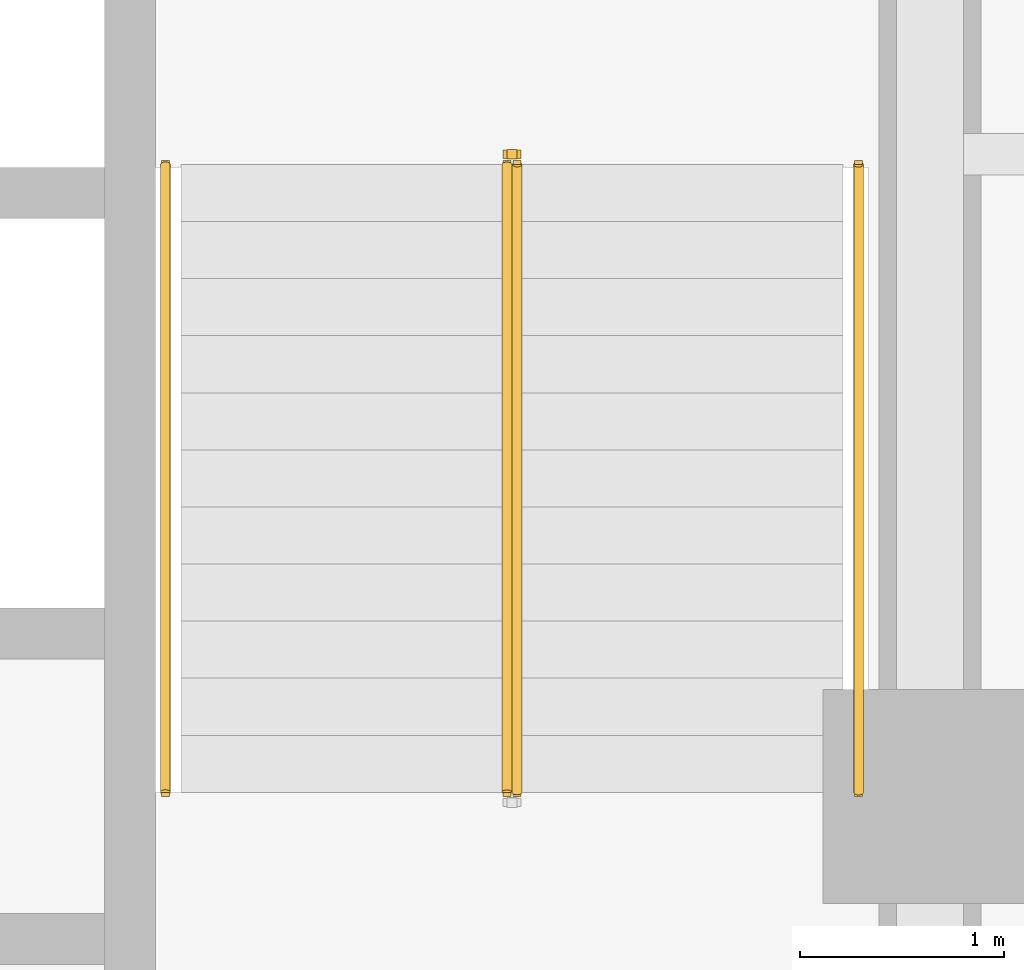
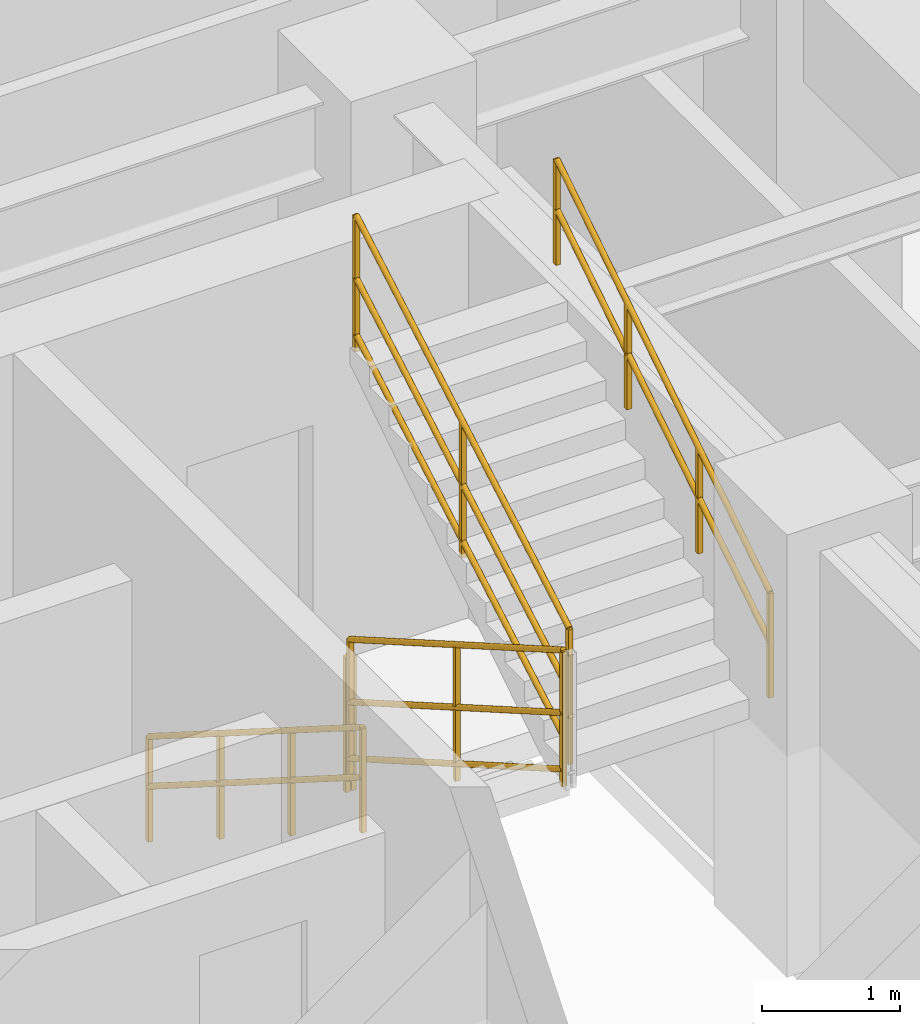
# One storey, part 9 of 10: 5 railings.
"""IFC4 building model written with IfcOpenShell, lengths in metres."""

from ifc_helpers import new_model, entity, si_unit, converted_unit, direction, frame, origin_with_axes, origin_2d_with_axis, place, context, subcontext, project, spatial, rectangle, circle, extrude, material, type_object, element, save


model = new_model("IFC4")

# Units and contexts
model_context = context("Model", 3, precision=1e-05, world=origin_with_axes(), true_north=direction((0.0, 1.0)))
body_context = subcontext(model_context, "Body", "Model", "MODEL_VIEW")
ifc_project = project(units=[si_unit("LENGTHUNIT", "METRE"), si_unit("AREAUNIT", "SQUARE_METRE"), si_unit("VOLUMEUNIT", "CUBIC_METRE"), converted_unit("PLANEANGLEUNIT", "DEGREE", entity("IfcPlaneAngleMeasure", 0.017453292519943295), si_unit("PLANEANGLEUNIT", "RADIAN"), dimensions=[0, 0, 0, 0, 0, 0, 0]), si_unit("MASSUNIT", "GRAM", prefix="KILO"), si_unit("THERMODYNAMICTEMPERATUREUNIT", "KELVIN")], contexts=[model_context])

# Site, building, storey
site_placement = place(None, origin_with_axes())
site = spatial("IfcSite", under=ifc_project, at=site_placement, CompositionType="ELEMENT")
building_placement = place(site_placement, origin_with_axes())
building = spatial("IfcBuilding", under=site, at=building_placement, Name="Varnlund Millrace Tower", CompositionType="ELEMENT")
storey_placement = place(building_placement, frame((0.0, 0.0, 129.0), z_axis=(0.0, 0.0, 1.0), x_axis=(1.0, 0.0, 0.0)))
storey = spatial("IfcBuildingStorey", under=building, at=storey_placement, Name="L31", CompositionType="ELEMENT", Elevation=129.0)

# Railings
ifc_material_1 = material(Name="Painted steel stair well balustrade guard", Category="steel")
railing_type_1 = type_object("IfcRailingType", Name="Type-StairGuard-1150", PredefinedType="GUARDRAIL", material=ifc_material_1)
railing_1_placement = place(storey_placement, frame((0.0, 0.0, -129.0), z_axis=(0.0, 0.0, 1.0), x_axis=(1.0, 0.0, 0.0)))
element("IfcRailing", 1, at=railing_1_placement, inside=storey, type_object=railing_type_1, Name="Type-StairGuard-1150", PredefinedType="GUARDRAIL", context=body_context, shape_type="SweptSolid", body=[
    extrude(circle(Radius=0.024, at=origin_2d_with_axis()), frame((45.975, 21.1, 130.327273), z_axis=(0.0, -0.866696, 0.498836), x_axis=(1.0, 0.0, 0.0)), (0.0, 0.0, 1.0), 3.553725),
    extrude(circle(Radius=0.024, at=origin_2d_with_axis()), frame((45.975, 21.1, 129.277273), z_axis=(0.0, -0.866696, 0.498836), x_axis=(1.0, 0.0, 0.0)), (0.0, 0.0, 1.0), 3.553725),
    extrude(circle(Radius=0.024, at=origin_2d_with_axis()), frame((45.975, 21.1, 129.775273), z_axis=(0.0, -0.866696, 0.498836), x_axis=(1.0, 0.0, 0.0)), (0.0, 0.0, 1.0), 3.553725),
    extrude(rectangle(XDim=0.04, YDim=0.04, at=origin_2d_with_axis()), frame((45.975, 21.1, 129.137273), z_axis=(0.0, 0.0, 1.0), x_axis=(1.0, 0.0, 0.0)), (0.0, 0.0, 1.0), 1.19),
    extrude(rectangle(XDim=0.04, YDim=0.04, at=origin_2d_with_axis()), frame((45.975, 19.56, 130.023637), z_axis=(0.0, 0.0, 1.0), x_axis=(1.0, 0.0, 0.0)), (0.0, 0.0, 1.0), 1.19),
    extrude(rectangle(XDim=0.04, YDim=0.04, at=origin_2d_with_axis()), frame((45.975, 18.02, 130.91), z_axis=(0.0, 0.0, 1.0), x_axis=(1.0, 0.0, 0.0)), (0.0, 0.0, 1.0), 1.19),
])
railing_2_placement = place(storey_placement, frame((0.0, 0.0, -129.0), z_axis=(0.0, 0.0, 1.0), x_axis=(1.0, 0.0, 0.0)))
element("IfcRailing", 2, at=railing_2_placement, inside=storey, type_object=railing_type_1, Name="Type-StairGuard-1150", PredefinedType="GUARDRAIL", context=body_context, shape_type="SweptSolid", body=[
    extrude(circle(Radius=0.024, at=origin_2d_with_axis()), frame((46.025, 18.02, 132.277273), z_axis=(0.0, 0.866696, 0.498836), x_axis=(-1.0, 0.0, 0.0)), (0.0, 0.0, 1.0), 3.553725),
    extrude(circle(Radius=0.024, at=origin_2d_with_axis()), frame((46.025, 18.02, 131.227273), z_axis=(0.0, 0.866696, 0.498836), x_axis=(-1.0, 0.0, 0.0)), (0.0, 0.0, 1.0), 3.553725),
    extrude(circle(Radius=0.024, at=origin_2d_with_axis()), frame((46.025, 18.02, 131.725273), z_axis=(0.0, 0.866696, 0.498836), x_axis=(-1.0, 0.0, 0.0)), (0.0, 0.0, 1.0), 3.553725),
    extrude(rectangle(XDim=0.04, YDim=0.04, at=origin_2d_with_axis()), frame((46.025, 18.02, 131.087273), z_axis=(0.0, 0.0, 1.0), x_axis=(1.0, 0.0, 0.0)), (0.0, 0.0, 1.0), 1.19),
    extrude(rectangle(XDim=0.04, YDim=0.04, at=origin_2d_with_axis()), frame((46.025, 19.56, 131.973637), z_axis=(0.0, 0.0, 1.0), x_axis=(1.0, 0.0, 0.0)), (0.0, 0.0, 1.0), 1.19),
    extrude(rectangle(XDim=0.04, YDim=0.04, at=origin_2d_with_axis()), frame((46.025, 21.1, 132.86), z_axis=(0.0, 0.0, 1.0), x_axis=(1.0, 0.0, 0.0)), (0.0, 0.0, 1.0), 1.19),
])
railing_3_placement = place(storey_placement, frame((0.0, 0.0, -129.0), z_axis=(0.0, 0.0, 1.0), x_axis=(1.0, 0.0, 0.0)))
element("IfcRailing", 3, at=railing_3_placement, inside=storey, type_object=railing_type_1, Name="Type-StairGuard-1150", PredefinedType="GUARDRAIL", context=body_context, shape_type="SweptSolid", body=[
    extrude(circle(Radius=0.024, at=origin_2d_with_axis()), frame((46.025, 21.15, 130.15), z_axis=(-1.0, 0.0, 0.0), x_axis=(0.0, -1.0, 0.0)), (0.0, 0.0, 1.0), 0.05),
    extrude(circle(Radius=0.024, at=origin_2d_with_axis()), frame((46.025, 21.15, 129.1), z_axis=(-1.0, 0.0, 0.0), x_axis=(0.0, -1.0, 0.0)), (0.0, 0.0, 1.0), 0.05),
    extrude(circle(Radius=0.024, at=origin_2d_with_axis()), frame((46.025, 21.15, 129.598), z_axis=(-1.0, 0.0, 0.0), x_axis=(0.0, -1.0, 0.0)), (0.0, 0.0, 1.0), 0.05),
    extrude(rectangle(XDim=0.04, YDim=0.04, at=origin_2d_with_axis()), frame((46.025, 21.15, 128.96), z_axis=(0.0, 0.0, 1.0), x_axis=(1.0, 0.0, 0.0)), (0.0, 0.0, 1.0), 1.19),
    extrude(rectangle(XDim=0.04, YDim=0.04, at=origin_2d_with_axis()), frame((45.975, 21.15, 128.96), z_axis=(0.0, 0.0, 1.0), x_axis=(1.0, 0.0, 0.0)), (0.0, 0.0, 1.0), 1.19),
])
ifc_material_2 = material(Name="Brushed architectural bronze stair handrail", Category="aluminium")
railing_type_2 = type_object("IfcRailingType", Name="Type-StairHandrail-900", PredefinedType="HANDRAIL", material=ifc_material_2)
railing_4_placement = place(storey_placement, frame((0.0, 0.0, -129.0), z_axis=(0.0, 0.0, 1.0), x_axis=(1.0, 0.0, 0.0)))
element("IfcRailing", 4, at=railing_4_placement, inside=storey, type_object=railing_type_2, Name="Type-StairHandrail-900", PredefinedType="HANDRAIL", context=body_context, shape_type="SweptSolid", body=[
    extrude(circle(Radius=0.024, at=origin_2d_with_axis()), frame((44.3, 21.1, 130.056995), z_axis=(0.0, -0.844902, 0.534922), x_axis=(1.0, 0.0, 0.0)), (0.0, 0.0, 1.0), 3.645394),
    extrude(circle(Radius=0.024, at=origin_2d_with_axis()), frame((44.3, 21.1, 129.617134), z_axis=(0.0, -0.844902, 0.534922), x_axis=(1.0, 0.0, 0.0)), (0.0, 0.0, 1.0), 3.645394),
    extrude(rectangle(XDim=0.04, YDim=0.04, at=origin_2d_with_axis()), frame((44.3, 21.1, 129.137273), z_axis=(0.0, 0.0, 1.0), x_axis=(1.0, 0.0, 0.0)), (0.0, 0.0, 1.0), 0.919722),
    extrude(rectangle(XDim=0.04, YDim=0.04, at=origin_2d_with_axis()), frame((44.3, 20.073333, 129.787273), z_axis=(0.0, 0.0, 1.0), x_axis=(1.0, 0.0, 0.0)), (0.0, 0.0, 1.0), 0.919722),
    extrude(rectangle(XDim=0.04, YDim=0.04, at=origin_2d_with_axis()), frame((44.3, 19.046667, 130.437273), z_axis=(0.0, 0.0, 1.0), x_axis=(1.0, 0.0, 0.0)), (0.0, 0.0, 1.0), 0.919722),
    extrude(rectangle(XDim=0.04, YDim=0.04, at=origin_2d_with_axis()), frame((44.3, 18.02, 131.087273), z_axis=(0.0, 0.0, 1.0), x_axis=(1.0, 0.0, 0.0)), (0.0, 0.0, 1.0), 0.919722),
])
railing_5_placement = place(storey_placement, frame((0.0, 0.0, -129.0), z_axis=(0.0, 0.0, 1.0), x_axis=(1.0, 0.0, 0.0)))
element("IfcRailing", 5, at=railing_5_placement, inside=storey, type_object=railing_type_2, Name="Type-StairHandrail-900", PredefinedType="HANDRAIL", context=body_context, shape_type="SweptSolid", body=[
    extrude(circle(Radius=0.024, at=origin_2d_with_axis()), frame((47.7, 18.02, 132.006995), z_axis=(0.0, 0.844902, 0.534922), x_axis=(-1.0, 0.0, 0.0)), (0.0, 0.0, 1.0), 3.645394),
    extrude(circle(Radius=0.024, at=origin_2d_with_axis()), frame((47.7, 18.02, 131.567134), z_axis=(0.0, 0.844902, 0.534922), x_axis=(-1.0, 0.0, 0.0)), (0.0, 0.0, 1.0), 3.645394),
    extrude(rectangle(XDim=0.04, YDim=0.04, at=origin_2d_with_axis()), frame((47.7, 18.02, 131.087273), z_axis=(0.0, 0.0, 1.0), x_axis=(1.0, 0.0, 0.0)), (0.0, 0.0, 1.0), 0.919722),
    extrude(rectangle(XDim=0.04, YDim=0.04, at=origin_2d_with_axis()), frame((47.7, 19.046667, 131.737273), z_axis=(0.0, 0.0, 1.0), x_axis=(1.0, 0.0, 0.0)), (0.0, 0.0, 1.0), 0.919722),
    extrude(rectangle(XDim=0.04, YDim=0.04, at=origin_2d_with_axis()), frame((47.7, 20.073333, 132.387273), z_axis=(0.0, 0.0, 1.0), x_axis=(1.0, 0.0, 0.0)), (0.0, 0.0, 1.0), 0.919722),
    extrude(rectangle(XDim=0.04, YDim=0.04, at=origin_2d_with_axis()), frame((47.7, 21.1, 133.037273), z_axis=(0.0, 0.0, 1.0), x_axis=(1.0, 0.0, 0.0)), (0.0, 0.0, 1.0), 0.919722),
])

save(model, "model.ifc")
